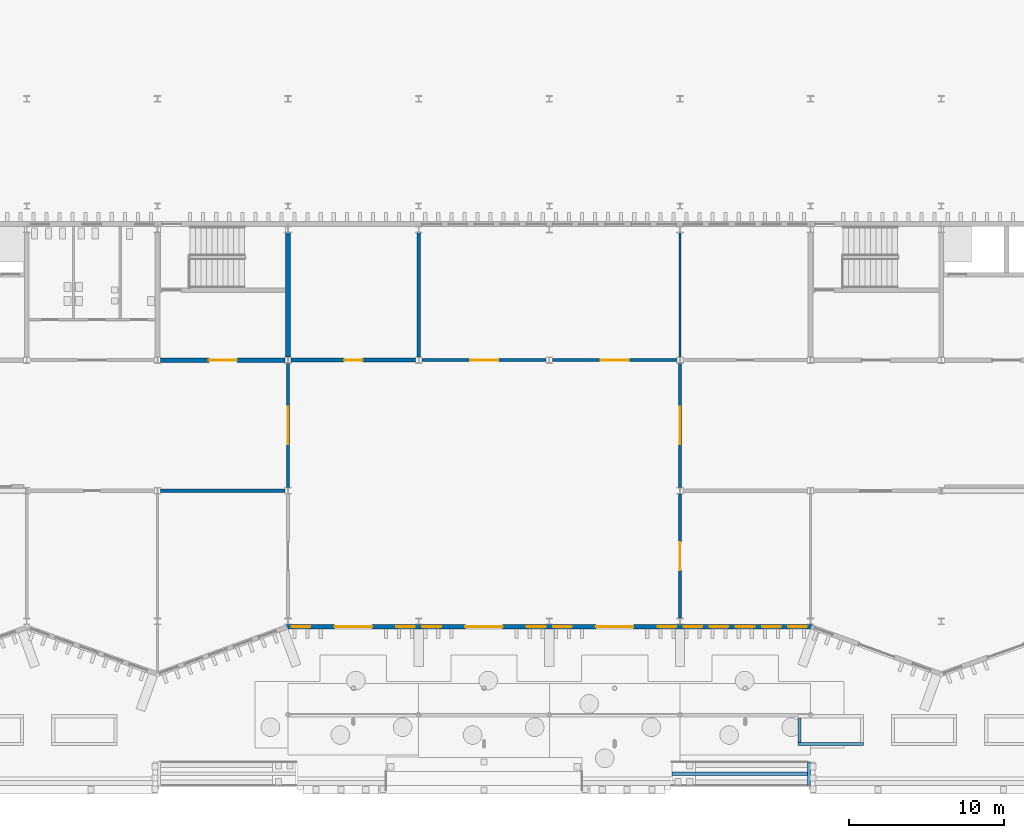
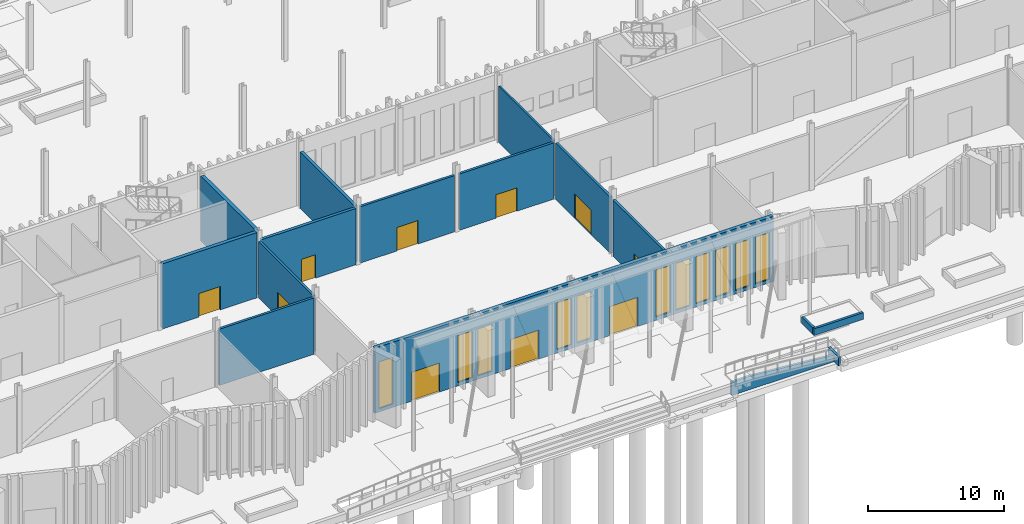
# One storey, part 57 of 108: 16 walls, 11 windows, 10 doors, 21 openings.
"""IFC4 building model written with IfcOpenShell, lengths in metres."""

import ifcopenshell
import ifcopenshell.guid

model = None  # the IFC model being written
_history = None  # IfcOwnerHistory: only IFC2X3 demands one
_inside = {}  # id of a spatial element -> (the spatial element, [elements in it])
_under = {}  # id of a project, library or spatial element -> (it, [spatial elements below it])
_declared = {}  # id of a project -> (the project, [libraries it declares])
_typed = {}  # id of a type object -> (the type object, [elements of that type])
_made_of = {}  # id of a material, layer set ... -> (it, [elements and type objects made of it])


def new_model(schema):
    """Start an empty IFC model of exactly this schema.

    Asked for "IFC4X3", IfcOpenShell would pick the latest addendum, in which some entities
    have other attributes; the version numbers below select the first issue.
    IFC2X3 requires an IfcOwnerHistory on every rooted entity: one is made here for all.
    """
    global model, _history
    if schema == "IFC4X3":
        model = ifcopenshell.file(schema_version=(4, 3, 0, 0))
    else:
        model = ifcopenshell.file(schema=schema)
    _inside.clear()
    _under.clear()
    _declared.clear()
    _typed.clear()
    _made_of.clear()
    _history = None
    if model.schema == "IFC2X3":
        org = make("IfcOrganization", Name="unknown")
        user = make(
            "IfcPersonAndOrganization",
            ThePerson=make("IfcPerson", FamilyName="unknown"),
            TheOrganization=org,
        )
        app = make(
            "IfcApplication",
            ApplicationDeveloper=org,
            Version="unknown",
            ApplicationFullName="unknown",
            ApplicationIdentifier="unknown",
        )
        _history = make(
            "IfcOwnerHistory",
            OwningUser=user,
            OwningApplication=app,
            ChangeAction="ADDED",
            CreationDate=0,
        )
    return model


def make(cls, **values):
    """One entity of the class cls with the attributes given. An attribute that is None is left unset."""
    return model.create_entity(
        cls, **{name: value for name, value in values.items() if value is not None}
    )


def rooted(cls, **values):
    """An entity with a GlobalId (a new one), such as an element, a storey or a relation."""
    return make(cls, GlobalId=ifcopenshell.guid.new(), OwnerHistory=_history, **values)


def si_unit(unit_type, name, prefix=None):
    """IfcSIUnit, for example si_unit("LENGTHUNIT", "METRE", prefix="MILLI")."""
    return make("IfcSIUnit", UnitType=unit_type, Prefix=prefix, Name=name)


def assignment(units):
    """IfcUnitAssignment: the units of a project."""
    return None if units is None else make("IfcUnitAssignment", Units=units)


def point(xyz):
    """IfcCartesianPoint."""
    return None if xyz is None else make("IfcCartesianPoint", Coordinates=xyz)


def direction(xyz):
    """IfcDirection."""
    return None if xyz is None else make("IfcDirection", DirectionRatios=xyz)


def frame(location, z_axis=None, x_axis=None):
    """IfcAxis2Placement3D, a coordinate frame: its origin and axes. An axis left out is left unset."""
    return make(
        "IfcAxis2Placement3D",
        Location=point(location),
        Axis=direction(z_axis),
        RefDirection=direction(x_axis),
    )


def frame_2d(location, x_axis=None):
    """IfcAxis2Placement2D, a coordinate frame in the plane: its origin and x axis."""
    return make(
        "IfcAxis2Placement2D", Location=point(location), RefDirection=direction(x_axis)
    )


def origin():
    """The frame at (0, 0, 0) with its axes left unset."""
    return frame((0.0, 0.0, 0.0))


def place(relative_to, where):
    """IfcLocalPlacement: puts the frame where relative to a parent placement (None: the world)."""
    return make(
        "IfcLocalPlacement", PlacementRelTo=relative_to, RelativePlacement=where
    )


def context(
    kind, dimensions, precision=None, world=None, true_north=None, identifier=None
):
    """IfcGeometricRepresentationContext, for example the 3D "Model" context."""
    return make(
        "IfcGeometricRepresentationContext",
        ContextIdentifier=identifier,
        ContextType=kind,
        CoordinateSpaceDimension=dimensions,
        Precision=precision,
        WorldCoordinateSystem=world,
        TrueNorth=true_north,
    )


def subcontext(parent, identifier, kind, view, scale=None):
    """IfcGeometricRepresentationSubContext, for example "Body" below "Model"."""
    return make(
        "IfcGeometricRepresentationSubContext",
        ContextIdentifier=identifier,
        ContextType=kind,
        ParentContext=parent,
        TargetScale=scale,
        TargetView=view,
    )


def project(units=None, contexts=None):
    """IfcProject with its units and contexts."""
    return rooted(
        "IfcProject",
        Name="project",
        RepresentationContexts=contexts,
        UnitsInContext=assignment(units),
    )


def spatial(cls, under=None, at=None, **own):
    """A site, building, storey or space (cls), placed at a placement, below another one or the project."""
    s = rooted(cls, ObjectPlacement=at, **own)
    if under is not None:
        _under.setdefault(under.id(), (under, []))[1].append(s)
    return s


def polyline(points):
    """IfcPolyline through the points."""
    return make("IfcPolyline", Points=[point(p) for p in points])


def profile(cls, at=None, kind="AREA", **sizes):
    """A parametric profile (cls). Its sizes go by their IFC names, for example OverallWidth=200.0."""
    return make(cls, ProfileType=kind, Position=at, **sizes)


def rectangle(**sizes):
    """IfcRectangleProfileDef."""
    return profile("IfcRectangleProfileDef", **sizes)


def outline(outer, holes=None, kind="AREA"):
    """IfcArbitraryClosedProfileDef: a profile drawn as a closed curve; with holes, ...WithVoids."""
    if holes is None:
        return make("IfcArbitraryClosedProfileDef", ProfileType=kind, OuterCurve=outer)
    return make(
        "IfcArbitraryProfileDefWithVoids",
        ProfileType=kind,
        OuterCurve=outer,
        InnerCurves=holes,
    )


def extrude(swept, where, along, depth):
    """IfcExtrudedAreaSolid: the profile swept, set in the frame where, extruded along a direction by depth."""
    return make(
        "IfcExtrudedAreaSolid",
        SweptArea=swept,
        Position=where,
        ExtrudedDirection=direction(along),
        Depth=depth,
    )


def shape(context_of_items, identifier, shape_type, items):
    """IfcShapeRepresentation: the items that make up one representation, for example the "Body"."""
    return make(
        "IfcShapeRepresentation",
        ContextOfItems=context_of_items,
        RepresentationIdentifier=identifier,
        RepresentationType=shape_type,
        Items=items,
    )


def material(Name=None, Category=None):
    """IfcMaterial."""
    return make("IfcMaterial", Name=Name, Category=Category)


def layer(
    of_material, thickness, ventilated=None, Name=None, Category=None, Priority=None
):
    """IfcMaterialLayer: one layer of a wall or slab, of a material (None: an air gap)."""
    return make(
        "IfcMaterialLayer",
        Material=of_material,
        LayerThickness=thickness,
        IsVentilated=ventilated,
        Name=Name,
        Category=Category,
        Priority=Priority,
    )


def layer_set(layers, Name=None):
    """IfcMaterialLayerSet."""
    return make("IfcMaterialLayerSet", MaterialLayers=layers, LayerSetName=Name)


def made_of(thing, what):
    """Note that an element or type object is made of a material, layer set ...; save() writes the relation."""
    if what is not None:
        _made_of.setdefault(what.id(), (what, []))[1].append(thing)
    return thing


def type_object(cls, material=None, **own):
    """A type object (cls), such as IfcWallType, which elements share."""
    return made_of(rooted(cls, **own), material)


def element(
    cls,
    number,
    at=None,
    inside=None,
    cuts=None,
    type_object=None,
    material=None,
    context=None,
    identifier="Body",
    shape_type=None,
    held_by="IfcProductDefinitionShape",
    body=None,
    shapes=None,
    **own,
):
    """One element of the class cls, such as IfcWall. Its Tag is "e" and its number.

    at: its placement. inside: the storey or other place that contains it. cuts: it is an
    opening in that element (IfcRelVoidsElement). A single representation is given by context,
    identifier, shape_type and body (its items); several are given by shapes. held_by: the class
    of the entity that holds the representations. save() writes the other relations.
    """
    e = rooted(cls, Tag="e%d" % number, ObjectPlacement=at, **own)
    if body is not None:
        shapes = [shape(context, identifier, shape_type, body)]
    if shapes is not None:
        e.Representation = make(held_by, Representations=shapes)
    if inside is not None:
        _inside.setdefault(inside.id(), (inside, []))[1].append(e)
    if cuts is not None:
        rooted(
            "IfcRelVoidsElement", RelatingBuildingElement=cuts, RelatedOpeningElement=e
        )
    if type_object is not None:
        _typed.setdefault(type_object.id(), (type_object, []))[1].append(e)
    return made_of(e, material)


def fill(opening, filler):
    """IfcRelFillsElement: the door or window that sits in an opening."""
    return rooted(
        "IfcRelFillsElement",
        RelatingOpeningElement=opening,
        RelatedBuildingElement=filler,
    )


def aggregate(whole, parts):
    """IfcRelAggregates: a whole, such as a stair, and the parts it consists of."""
    return rooted("IfcRelAggregates", RelatingObject=whole, RelatedObjects=parts)


def save(model, path):
    """Write the relations noted so far, then the file.

    IfcRelAggregates (storeys below a building ...), IfcRelContainedInSpatialStructure (elements
    in a storey), IfcRelDefinesByType, IfcRelAssociatesMaterial and IfcRelDeclares: one each for
    every whole, place, type object, material and project.
    """
    for whole, parts in _under.values():
        aggregate(whole, parts)
    for where, things in _inside.values():
        rooted(
            "IfcRelContainedInSpatialStructure",
            RelatedElements=things,
            RelatingStructure=where,
        )
    for kind, things in _typed.values():
        rooted("IfcRelDefinesByType", RelatedObjects=things, RelatingType=kind)
    for what, things in _made_of.values():
        rooted("IfcRelAssociatesMaterial", RelatedObjects=things, RelatingMaterial=what)
    for by, libraries in _declared.values():
        rooted("IfcRelDeclares", RelatingContext=by, RelatedDefinitions=libraries)
    model.write(path)


model = new_model("IFC4")

# Units and contexts
model_context = context("Model", 3, precision=1e-05, world=origin(), true_north=direction((0.0, 1.0)))
body_context = subcontext(model_context, "Body", "Model", "MODEL_VIEW")
ifc_project = project(units=[si_unit("LENGTHUNIT", "METRE"), si_unit("AREAUNIT", "SQUARE_METRE"), si_unit("VOLUMEUNIT", "CUBIC_METRE"), si_unit("PLANEANGLEUNIT", "RADIAN"), si_unit("MASSUNIT", "GRAM", prefix="KILO")], contexts=[model_context])

# Site, building, storey
site_placement = place(None, origin())
site = spatial("IfcSite", under=ifc_project, at=site_placement, CompositionType="ELEMENT")
building_placement = place(site_placement, origin())
building = spatial("IfcBuilding", under=site, at=building_placement, Name="Cresset Court Congress Hotel", CompositionType="ELEMENT")
storey_placement = place(building_placement, origin())
storey = spatial("IfcBuildingStorey", under=building, at=storey_placement, Name="L00", CompositionType="ELEMENT", Elevation=0.0)

# Wall
ifc_material_1 = material(Name="Concrete C50", Category="concrete")
ifc_layer_1 = layer(ifc_material_1, 0.300048828125)
ifc_layer_set_1 = layer_set([ifc_layer_1], Name="Core wall 300 Concrete C50")
wall_type_1 = type_object("IfcWallType", Name="Core wall 300 Concrete C50", PredefinedType="SHEAR", material=ifc_layer_set_1)
wall_1_placement = place(storey_placement, frame((67.199951171875, 17.0, 0.0), z_axis=(0.0, 0.0, 1.0), x_axis=(0.0, 1.0, 0.0)))
element("IfcWall", 1, at=wall_1_placement, inside=storey, type_object=wall_type_1, Name="Core wall ST-B3", PredefinedType="SHEAR", context=body_context, shape_type="SweptSolid", body=[
    extrude(rectangle(XDim=8.0, YDim=0.300048828125, at=frame_2d((4.0, 0.0))), origin(), (0.0, 0.0, 1.0), 5.85009765625),
])

# Wall, opening, door
wall_2_placement = place(storey_placement, frame((59.0, 16.800048828125, 0.0), z_axis=(0.0, 0.0, 1.0), x_axis=(1.0, 0.0, 0.0)))
wall_2 = element("IfcWall", 2, at=wall_2_placement, inside=storey, type_object=wall_type_1, Name="Core wall ST-B3", PredefinedType="SHEAR", context=body_context, shape_type="SweptSolid", body=[
    extrude(rectangle(XDim=8.0, YDim=0.300048828125, at=frame_2d((4.0, 0.0))), origin(), (0.0, 0.0, 1.0), 5.85009765625),
])
opening_1_placement = place(wall_2_placement, frame((3.10009765625, 0.0, 0.0)))
opening_1 = element("IfcOpeningElement", 3, at=opening_1_placement, cuts=wall_2, Name="Opening DB-00-60", PredefinedType="OPENING", context=body_context, shape_type="SweptSolid", body=[
    extrude(rectangle(XDim=1.800048828125, YDim=2.10009765625, at=frame_2d((0.89990234375, 1.050048828125))), frame((0.0, 0.159912109375, 0.0), z_axis=(0.0, -1.0, 0.0), x_axis=(1.0, 0.0, 0.0)), (0.0, 0.0, 1.0), 0.320068359375),
])
ifc_material_2 = material(Name="Timber and steel frame", Category="steel")
door_type_1 = type_object("IfcDoorType", Name="Lobby fire door FD60 double 1800x2100", OperationType="DOUBLE_DOOR_SINGLE_SWING", PredefinedType="DOOR", material=ifc_material_2)
door_1_placement = place(opening_1_placement, origin())
door_1 = element("IfcDoor", 4, at=door_1_placement, inside=storey, type_object=door_type_1, Name="Stair lobby door ST-B3", OperationType="DOUBLE_DOOR_SINGLE_SWING", OverallHeight=2.10009765625, OverallWidth=1.800048828125, PredefinedType="DOOR", context=body_context, shape_type="SweptSolid", body=[
    extrude(rectangle(XDim=1.800048828125, YDim=2.10009765625, at=frame_2d((0.89990234375, 1.050048828125))), frame((0.0, 0.02490234375, 0.0), z_axis=(0.0, -1.0, 0.0), x_axis=(1.0, 0.0, 0.0)), (0.0, 0.0, 1.0), 0.050048828125),
])
fill(opening_1, door_1)

# Wall, openings, doors, windows
ifc_material_3 = material(Name="Concrete C40", Category="concrete")
ifc_layer_2 = layer(ifc_material_3, 0.300048828125)
ifc_layer_set_2 = layer_set([ifc_layer_2], Name="External wall 300 Concrete C40")
wall_type_2 = type_object("IfcWallType", Name="External wall 300 Concrete C40", PredefinedType="SOLIDWALL", material=ifc_layer_set_2)
wall_3_placement = place(storey_placement, frame((67.10009765625, -0.35009765625, 0.0), z_axis=(0.0, 0.0, 1.0), x_axis=(1.0, 0.0, 0.0)))
wall_3 = element("IfcWall", 5, at=wall_3_placement, inside=storey, type_object=wall_type_2, Name="External wall", PredefinedType="SOLIDWALL", context=body_context, shape_type="SweptSolid", body=[
    extrude(rectangle(XDim=33.7998046875, YDim=0.300048828125, at=frame_2d((16.89990234375, 0.0))), origin(), (0.0, 0.0, 1.0), 5.85009765625),
])
opening_2_placement = place(wall_3_placement, frame((3.10009765625, 0.0, 0.0)))
opening_2 = element("IfcOpeningElement", 6, at=opening_2_placement, cuts=wall_3, Name="Opening DB-00-01", PredefinedType="OPENING", context=body_context, shape_type="SweptSolid", body=[
    extrude(rectangle(XDim=2.39990234375, YDim=2.60009765625, at=frame_2d((1.199951171875, 1.300048828125))), frame((0.0, 0.159912109375, 0.0), z_axis=(0.0, -1.0, 0.0), x_axis=(1.0, 0.0, 0.0)), (0.0, 0.0, 1.0), 0.320068359375),
])
opening_3_placement = place(wall_3_placement, frame((11.5, 0.0, 0.0)))
opening_3 = element("IfcOpeningElement", 7, at=opening_3_placement, cuts=wall_3, Name="Opening DB-00-02", PredefinedType="OPENING", context=body_context, shape_type="SweptSolid", body=[
    extrude(rectangle(XDim=2.39990234375, YDim=2.60009765625, at=frame_2d((1.199951171875, 1.300048828125))), frame((0.0, 0.159912109375, 0.0), z_axis=(0.0, -1.0, 0.0), x_axis=(1.0, 0.0, 0.0)), (0.0, 0.0, 1.0), 0.320068359375),
])
opening_4_placement = place(wall_3_placement, frame((19.89990234375, 0.0, 0.0)))
opening_4 = element("IfcOpeningElement", 8, at=opening_4_placement, cuts=wall_3, Name="Opening DB-00-03", PredefinedType="OPENING", context=body_context, shape_type="SweptSolid", body=[
    extrude(rectangle(XDim=2.39990234375, YDim=2.60009765625, at=frame_2d((1.199951171875, 1.300048828125))), frame((0.0, 0.159912109375, 0.0), z_axis=(0.0, -1.0, 0.0), x_axis=(1.0, 0.0, 0.0)), (0.0, 0.0, 1.0), 0.320068359375),
])
opening_5_placement = place(wall_3_placement, frame((0.340087890625, 0.0, 0.300048828125)))
opening_5 = element("IfcOpeningElement", 9, at=opening_5_placement, cuts=wall_3, Name="Opening NB-00-06", PredefinedType="OPENING", context=body_context, shape_type="SweptSolid", body=[
    extrude(rectangle(XDim=1.199951171875, YDim=4.199951171875, at=frame_2d((0.60009765625, 2.10009765625))), frame((0.0, 0.159912109375, 0.0), z_axis=(0.0, -1.0, 0.0), x_axis=(1.0, 0.0, 0.0)), (0.0, 0.0, 1.0), 0.320068359375),
])
opening_6_placement = place(wall_3_placement, frame((7.06005859375, 0.0, 0.300048828125)))
opening_6 = element("IfcOpeningElement", 10, at=opening_6_placement, cuts=wall_3, Name="Opening NB-00-07", PredefinedType="OPENING", context=body_context, shape_type="SweptSolid", body=[
    extrude(rectangle(XDim=1.199951171875, YDim=4.199951171875, at=frame_2d((0.60009765625, 2.10009765625))), frame((0.0, 0.159912109375, 0.0), z_axis=(0.0, -1.0, 0.0), x_axis=(1.0, 0.0, 0.0)), (0.0, 0.0, 1.0), 0.320068359375),
])
opening_7_placement = place(wall_3_placement, frame((8.739990234375, 0.0, 0.300048828125)))
opening_7 = element("IfcOpeningElement", 11, at=opening_7_placement, cuts=wall_3, Name="Opening NB-00-08", PredefinedType="OPENING", context=body_context, shape_type="SweptSolid", body=[
    extrude(rectangle(XDim=1.199951171875, YDim=4.199951171875, at=frame_2d((0.60009765625, 2.10009765625))), frame((0.0, 0.159912109375, 0.0), z_axis=(0.0, -1.0, 0.0), x_axis=(1.0, 0.0, 0.0)), (0.0, 0.0, 1.0), 0.320068359375),
])
opening_8_placement = place(wall_3_placement, frame((15.4599609375, 0.0, 0.300048828125)))
opening_8 = element("IfcOpeningElement", 12, at=opening_8_placement, cuts=wall_3, Name="Opening NB-00-09", PredefinedType="OPENING", context=body_context, shape_type="SweptSolid", body=[
    extrude(rectangle(XDim=1.199951171875, YDim=4.199951171875, at=frame_2d((0.60009765625, 2.10009765625))), frame((0.0, 0.159912109375, 0.0), z_axis=(0.0, -1.0, 0.0), x_axis=(1.0, 0.0, 0.0)), (0.0, 0.0, 1.0), 0.320068359375),
])
opening_9_placement = place(wall_3_placement, frame((17.139892578125, 0.0, 0.300048828125)))
opening_9 = element("IfcOpeningElement", 13, at=opening_9_placement, cuts=wall_3, Name="Opening NB-00-10", PredefinedType="OPENING", context=body_context, shape_type="SweptSolid", body=[
    extrude(rectangle(XDim=1.199951171875, YDim=4.199951171875, at=frame_2d((0.60009765625, 2.10009765625))), frame((0.0, 0.159912109375, 0.0), z_axis=(0.0, -1.0, 0.0), x_axis=(1.0, 0.0, 0.0)), (0.0, 0.0, 1.0), 0.320068359375),
])
opening_10_placement = place(wall_3_placement, frame((23.860107421875, 0.0, 0.300048828125)))
opening_10 = element("IfcOpeningElement", 14, at=opening_10_placement, cuts=wall_3, Name="Opening NB-00-11", PredefinedType="OPENING", context=body_context, shape_type="SweptSolid", body=[
    extrude(rectangle(XDim=1.199951171875, YDim=4.199951171875, at=frame_2d((0.60009765625, 2.10009765625))), frame((0.0, 0.159912109375, 0.0), z_axis=(0.0, -1.0, 0.0), x_axis=(1.0, 0.0, 0.0)), (0.0, 0.0, 1.0), 0.320068359375),
])
opening_11_placement = place(wall_3_placement, frame((25.5400390625, 0.0, 0.300048828125)))
opening_11 = element("IfcOpeningElement", 15, at=opening_11_placement, cuts=wall_3, Name="Opening NB-00-12", PredefinedType="OPENING", context=body_context, shape_type="SweptSolid", body=[
    extrude(rectangle(XDim=1.199951171875, YDim=4.199951171875, at=frame_2d((0.60009765625, 2.10009765625))), frame((0.0, 0.159912109375, 0.0), z_axis=(0.0, -1.0, 0.0), x_axis=(1.0, 0.0, 0.0)), (0.0, 0.0, 1.0), 0.320068359375),
])
opening_12_placement = place(wall_3_placement, frame((27.219970703125, 0.0, 0.300048828125)))
opening_12 = element("IfcOpeningElement", 16, at=opening_12_placement, cuts=wall_3, Name="Opening NB-00-13", PredefinedType="OPENING", context=body_context, shape_type="SweptSolid", body=[
    extrude(rectangle(XDim=1.199951171875, YDim=4.199951171875, at=frame_2d((0.60009765625, 2.10009765625))), frame((0.0, 0.159912109375, 0.0), z_axis=(0.0, -1.0, 0.0), x_axis=(1.0, 0.0, 0.0)), (0.0, 0.0, 1.0), 0.320068359375),
])
opening_13_placement = place(wall_3_placement, frame((28.89990234375, 0.0, 0.300048828125)))
opening_13 = element("IfcOpeningElement", 17, at=opening_13_placement, cuts=wall_3, Name="Opening NB-00-14", PredefinedType="OPENING", context=body_context, shape_type="SweptSolid", body=[
    extrude(rectangle(XDim=1.199951171875, YDim=4.199951171875, at=frame_2d((0.60009765625, 2.10009765625))), frame((0.0, 0.159912109375, 0.0), z_axis=(0.0, -1.0, 0.0), x_axis=(1.0, 0.0, 0.0)), (0.0, 0.0, 1.0), 0.320068359375),
])
opening_14_placement = place(wall_3_placement, frame((30.580078125, 0.0, 0.300048828125)))
opening_14 = element("IfcOpeningElement", 18, at=opening_14_placement, cuts=wall_3, Name="Opening NB-00-15", PredefinedType="OPENING", context=body_context, shape_type="SweptSolid", body=[
    extrude(rectangle(XDim=1.199951171875, YDim=4.199951171875, at=frame_2d((0.60009765625, 2.10009765625))), frame((0.0, 0.159912109375, 0.0), z_axis=(0.0, -1.0, 0.0), x_axis=(1.0, 0.0, 0.0)), (0.0, 0.0, 1.0), 0.320068359375),
])
opening_15_placement = place(wall_3_placement, frame((32.260009765625, 0.0, 0.300048828125)))
opening_15 = element("IfcOpeningElement", 19, at=opening_15_placement, cuts=wall_3, Name="Opening NB-00-16", PredefinedType="OPENING", context=body_context, shape_type="SweptSolid", body=[
    extrude(rectangle(XDim=1.199951171875, YDim=4.199951171875, at=frame_2d((0.60009765625, 2.10009765625))), frame((0.0, 0.159912109375, 0.0), z_axis=(0.0, -1.0, 0.0), x_axis=(1.0, 0.0, 0.0)), (0.0, 0.0, 1.0), 0.320068359375),
])
ifc_material_4 = material(Name="Aluminium frame with toughened glass", Category="aluminium")
door_type_2 = type_object("IfcDoorType", Name="Entrance door double glazed 2400x2600", OperationType="DOUBLE_DOOR_SINGLE_SWING", PredefinedType="DOOR", material=ifc_material_4)
door_2_placement = place(opening_2_placement, origin())
door_2 = element("IfcDoor", 20, at=door_2_placement, inside=storey, type_object=door_type_2, Name="Main entrance", OperationType="DOUBLE_DOOR_SINGLE_SWING", OverallHeight=2.60009765625, OverallWidth=2.39990234375, PredefinedType="DOOR", context=body_context, shape_type="SweptSolid", body=[
    extrude(rectangle(XDim=2.39990234375, YDim=2.60009765625, at=frame_2d((1.199951171875, 1.300048828125))), frame((0.0, 0.02490234375, 0.0), z_axis=(0.0, -1.0, 0.0), x_axis=(1.0, 0.0, 0.0)), (0.0, 0.0, 1.0), 0.050048828125),
])
fill(opening_2, door_2)
door_3_placement = place(opening_3_placement, origin())
door_3 = element("IfcDoor", 21, at=door_3_placement, inside=storey, type_object=door_type_2, Name="Main entrance", OperationType="DOUBLE_DOOR_SINGLE_SWING", OverallHeight=2.60009765625, OverallWidth=2.39990234375, PredefinedType="DOOR", context=body_context, shape_type="SweptSolid", body=[
    extrude(rectangle(XDim=2.39990234375, YDim=2.60009765625, at=frame_2d((1.199951171875, 1.300048828125))), frame((0.0, 0.02490234375, 0.0), z_axis=(0.0, -1.0, 0.0), x_axis=(1.0, 0.0, 0.0)), (0.0, 0.0, 1.0), 0.050048828125),
])
fill(opening_3, door_3)
door_4_placement = place(opening_4_placement, origin())
door_4 = element("IfcDoor", 22, at=door_4_placement, inside=storey, type_object=door_type_2, Name="Main entrance", OperationType="DOUBLE_DOOR_SINGLE_SWING", OverallHeight=2.60009765625, OverallWidth=2.39990234375, PredefinedType="DOOR", context=body_context, shape_type="SweptSolid", body=[
    extrude(rectangle(XDim=2.39990234375, YDim=2.60009765625, at=frame_2d((1.199951171875, 1.300048828125))), frame((0.0, 0.02490234375, 0.0), z_axis=(0.0, -1.0, 0.0), x_axis=(1.0, 0.0, 0.0)), (0.0, 0.0, 1.0), 0.050048828125),
])
fill(opening_4, door_4)
ifc_material_5 = material(Name="Aluminium frame with double glazing", Category="aluminium")
window_type = type_object("IfcWindowType", Name="Window 1200x4200", PartitioningType="TRIPLE_PANEL_VERTICAL", PredefinedType="WINDOW", material=ifc_material_5)
window_1_placement = place(opening_5_placement, origin())
window_1 = element("IfcWindow", 23, at=window_1_placement, inside=storey, type_object=window_type, Name="Window NB-00-06", OverallHeight=4.199951171875, OverallWidth=1.199951171875, PartitioningType="TRIPLE_PANEL_VERTICAL", PredefinedType="WINDOW", context=body_context, shape_type="SweptSolid", body=[
    extrude(rectangle(XDim=1.199951171875, YDim=4.199951171875, at=frame_2d((0.60009765625, 2.10009765625))), frame((0.0, 0.030029296875, 0.0), z_axis=(0.0, -1.0, 0.0), x_axis=(1.0, 0.0, 0.0)), (0.0, 0.0, 1.0), 0.06005859375),
])
fill(opening_5, window_1)
window_2_placement = place(opening_6_placement, origin())
window_2 = element("IfcWindow", 24, at=window_2_placement, inside=storey, type_object=window_type, Name="Window NB-00-07", OverallHeight=4.199951171875, OverallWidth=1.199951171875, PartitioningType="TRIPLE_PANEL_VERTICAL", PredefinedType="WINDOW", context=body_context, shape_type="SweptSolid", body=[
    extrude(rectangle(XDim=1.199951171875, YDim=4.199951171875, at=frame_2d((0.60009765625, 2.10009765625))), frame((0.0, 0.030029296875, 0.0), z_axis=(0.0, -1.0, 0.0), x_axis=(1.0, 0.0, 0.0)), (0.0, 0.0, 1.0), 0.06005859375),
])
fill(opening_6, window_2)
window_3_placement = place(opening_7_placement, origin())
window_3 = element("IfcWindow", 25, at=window_3_placement, inside=storey, type_object=window_type, Name="Window NB-00-08", OverallHeight=4.199951171875, OverallWidth=1.199951171875, PartitioningType="TRIPLE_PANEL_VERTICAL", PredefinedType="WINDOW", context=body_context, shape_type="SweptSolid", body=[
    extrude(rectangle(XDim=1.199951171875, YDim=4.199951171875, at=frame_2d((0.60009765625, 2.10009765625))), frame((0.0, 0.030029296875, 0.0), z_axis=(0.0, -1.0, 0.0), x_axis=(1.0, 0.0, 0.0)), (0.0, 0.0, 1.0), 0.06005859375),
])
fill(opening_7, window_3)
window_4_placement = place(opening_8_placement, origin())
window_4 = element("IfcWindow", 26, at=window_4_placement, inside=storey, type_object=window_type, Name="Window NB-00-09", OverallHeight=4.199951171875, OverallWidth=1.199951171875, PartitioningType="TRIPLE_PANEL_VERTICAL", PredefinedType="WINDOW", context=body_context, shape_type="SweptSolid", body=[
    extrude(rectangle(XDim=1.199951171875, YDim=4.199951171875, at=frame_2d((0.60009765625, 2.10009765625))), frame((0.0, 0.030029296875, 0.0), z_axis=(0.0, -1.0, 0.0), x_axis=(1.0, 0.0, 0.0)), (0.0, 0.0, 1.0), 0.06005859375),
])
fill(opening_8, window_4)
window_5_placement = place(opening_9_placement, origin())
window_5 = element("IfcWindow", 27, at=window_5_placement, inside=storey, type_object=window_type, Name="Window NB-00-10", OverallHeight=4.199951171875, OverallWidth=1.199951171875, PartitioningType="TRIPLE_PANEL_VERTICAL", PredefinedType="WINDOW", context=body_context, shape_type="SweptSolid", body=[
    extrude(rectangle(XDim=1.199951171875, YDim=4.199951171875, at=frame_2d((0.60009765625, 2.10009765625))), frame((0.0, 0.030029296875, 0.0), z_axis=(0.0, -1.0, 0.0), x_axis=(1.0, 0.0, 0.0)), (0.0, 0.0, 1.0), 0.06005859375),
])
fill(opening_9, window_5)
window_6_placement = place(opening_10_placement, origin())
window_6 = element("IfcWindow", 28, at=window_6_placement, inside=storey, type_object=window_type, Name="Window NB-00-11", OverallHeight=4.199951171875, OverallWidth=1.199951171875, PartitioningType="TRIPLE_PANEL_VERTICAL", PredefinedType="WINDOW", context=body_context, shape_type="SweptSolid", body=[
    extrude(rectangle(XDim=1.199951171875, YDim=4.199951171875, at=frame_2d((0.60009765625, 2.10009765625))), frame((0.0, 0.030029296875, 0.0), z_axis=(0.0, -1.0, 0.0), x_axis=(1.0, 0.0, 0.0)), (0.0, 0.0, 1.0), 0.06005859375),
])
fill(opening_10, window_6)
window_7_placement = place(opening_11_placement, origin())
window_7 = element("IfcWindow", 29, at=window_7_placement, inside=storey, type_object=window_type, Name="Window NB-00-12", OverallHeight=4.199951171875, OverallWidth=1.199951171875, PartitioningType="TRIPLE_PANEL_VERTICAL", PredefinedType="WINDOW", context=body_context, shape_type="SweptSolid", body=[
    extrude(rectangle(XDim=1.199951171875, YDim=4.199951171875, at=frame_2d((0.60009765625, 2.10009765625))), frame((0.0, 0.030029296875, 0.0), z_axis=(0.0, -1.0, 0.0), x_axis=(1.0, 0.0, 0.0)), (0.0, 0.0, 1.0), 0.06005859375),
])
fill(opening_11, window_7)
window_8_placement = place(opening_12_placement, origin())
window_8 = element("IfcWindow", 30, at=window_8_placement, inside=storey, type_object=window_type, Name="Window NB-00-13", OverallHeight=4.199951171875, OverallWidth=1.199951171875, PartitioningType="TRIPLE_PANEL_VERTICAL", PredefinedType="WINDOW", context=body_context, shape_type="SweptSolid", body=[
    extrude(rectangle(XDim=1.199951171875, YDim=4.199951171875, at=frame_2d((0.60009765625, 2.10009765625))), frame((0.0, 0.030029296875, 0.0), z_axis=(0.0, -1.0, 0.0), x_axis=(1.0, 0.0, 0.0)), (0.0, 0.0, 1.0), 0.06005859375),
])
fill(opening_12, window_8)
window_9_placement = place(opening_13_placement, origin())
window_9 = element("IfcWindow", 31, at=window_9_placement, inside=storey, type_object=window_type, Name="Window NB-00-14", OverallHeight=4.199951171875, OverallWidth=1.199951171875, PartitioningType="TRIPLE_PANEL_VERTICAL", PredefinedType="WINDOW", context=body_context, shape_type="SweptSolid", body=[
    extrude(rectangle(XDim=1.199951171875, YDim=4.199951171875, at=frame_2d((0.60009765625, 2.10009765625))), frame((0.0, 0.030029296875, 0.0), z_axis=(0.0, -1.0, 0.0), x_axis=(1.0, 0.0, 0.0)), (0.0, 0.0, 1.0), 0.06005859375),
])
fill(opening_13, window_9)
window_10_placement = place(opening_14_placement, origin())
window_10 = element("IfcWindow", 32, at=window_10_placement, inside=storey, type_object=window_type, Name="Window NB-00-15", OverallHeight=4.199951171875, OverallWidth=1.199951171875, PartitioningType="TRIPLE_PANEL_VERTICAL", PredefinedType="WINDOW", context=body_context, shape_type="SweptSolid", body=[
    extrude(rectangle(XDim=1.199951171875, YDim=4.199951171875, at=frame_2d((0.60009765625, 2.10009765625))), frame((0.0, 0.030029296875, 0.0), z_axis=(0.0, -1.0, 0.0), x_axis=(1.0, 0.0, 0.0)), (0.0, 0.0, 1.0), 0.06005859375),
])
fill(opening_14, window_10)
window_11_placement = place(opening_15_placement, origin())
window_11 = element("IfcWindow", 33, at=window_11_placement, inside=storey, type_object=window_type, Name="Window NB-00-16", OverallHeight=4.199951171875, OverallWidth=1.199951171875, PartitioningType="TRIPLE_PANEL_VERTICAL", PredefinedType="WINDOW", context=body_context, shape_type="SweptSolid", body=[
    extrude(rectangle(XDim=1.199951171875, YDim=4.199951171875, at=frame_2d((0.60009765625, 2.10009765625))), frame((0.0, 0.030029296875, 0.0), z_axis=(0.0, -1.0, 0.0), x_axis=(1.0, 0.0, 0.0)), (0.0, 0.0, 1.0), 0.06005859375),
])
fill(opening_15, window_11)

# Wall
ifc_material_6 = material(Name="Gypsum board on steel studs", Category="steel")
ifc_layer_3 = layer(ifc_material_6, 0.199951171875)
ifc_layer_set_3 = layer_set([ifc_layer_3], Name="Foyer wall 200")
wall_type_3 = type_object("IfcWallType", Name="Foyer wall 200", PredefinedType="PARTITIONING", material=ifc_layer_set_3)
wall_4_placement = place(storey_placement, frame((59.0, 8.39990234375, 0.0), z_axis=(0.0, 0.0, 1.0), x_axis=(1.0, 0.0, 0.0)))
element("IfcWall", 34, at=wall_4_placement, inside=storey, type_object=wall_type_3, Name="Foyer wall", PredefinedType="PARTITIONING", context=body_context, shape_type="SweptSolid", body=[
    extrude(rectangle(XDim=8.0, YDim=0.199951171875, at=frame_2d((4.0, 0.0))), origin(), (0.0, 0.0, 1.0), 5.050048828125),
])

# Wall, opening, door
wall_5_placement = place(storey_placement, frame((75.800048828125, 16.800048828125, 0.0), z_axis=(0.0, 0.0, 1.0), x_axis=(1.0, 0.0, 0.0)))
wall_5 = element("IfcWall", 35, at=wall_5_placement, inside=storey, type_object=wall_type_3, Name="Foyer wall", PredefinedType="PARTITIONING", context=body_context, shape_type="SweptSolid", body=[
    extrude(rectangle(XDim=8.0, YDim=0.199951171875, at=frame_2d((4.0, 0.0))), origin(), (0.0, 0.0, 1.0), 5.050048828125),
])
opening_16_placement = place(wall_5_placement, frame((3.10009765625, 0.0, 0.0)))
opening_16 = element("IfcOpeningElement", 36, at=opening_16_placement, cuts=wall_5, Name="Opening DB-00-31", PredefinedType="OPENING", context=body_context, shape_type="SweptSolid", body=[
    extrude(rectangle(XDim=1.800048828125, YDim=2.10009765625, at=frame_2d((0.89990234375, 1.050048828125))), frame((0.0, 0.10986328125, 0.0), z_axis=(0.0, -1.0, 0.0), x_axis=(1.0, 0.0, 0.0)), (0.0, 0.0, 1.0), 0.219970703125),
])
ifc_material_7 = material(Name="Timber and steel frame", Category="steel")
door_type_3 = type_object("IfcDoorType", Name="Fire door FD30 double 1800x2100", OperationType="DOUBLE_DOOR_SINGLE_SWING", PredefinedType="DOOR", material=ifc_material_7)
door_5_placement = place(opening_16_placement, origin())
door_5 = element("IfcDoor", 37, at=door_5_placement, inside=storey, type_object=door_type_3, Name="Accreditation Office door", OperationType="DOUBLE_DOOR_SINGLE_SWING", OverallHeight=2.10009765625, OverallWidth=1.800048828125, PredefinedType="DOOR", context=body_context, shape_type="SweptSolid", body=[
    extrude(rectangle(XDim=1.800048828125, YDim=2.10009765625, at=frame_2d((0.89990234375, 1.050048828125))), frame((0.0, 0.02490234375, 0.0), z_axis=(0.0, -1.0, 0.0), x_axis=(1.0, 0.0, 0.0)), (0.0, 0.0, 1.0), 0.050048828125),
])
fill(opening_16, door_5)

wall_6_placement = place(storey_placement, frame((84.199951171875, 16.800048828125, 0.0), z_axis=(0.0, 0.0, 1.0), x_axis=(1.0, 0.0, 0.0)))
wall_6 = element("IfcWall", 38, at=wall_6_placement, inside=storey, type_object=wall_type_3, Name="Foyer wall", PredefinedType="PARTITIONING", context=body_context, shape_type="SweptSolid", body=[
    extrude(rectangle(XDim=8.0, YDim=0.199951171875, at=frame_2d((4.0, 0.0))), origin(), (0.0, 0.0, 1.0), 5.050048828125),
])
opening_17_placement = place(wall_6_placement, frame((3.10009765625, 0.0, 0.0)))
opening_17 = element("IfcOpeningElement", 39, at=opening_17_placement, cuts=wall_6, Name="Opening DB-00-32", PredefinedType="OPENING", context=body_context, shape_type="SweptSolid", body=[
    extrude(rectangle(XDim=1.800048828125, YDim=2.10009765625, at=frame_2d((0.89990234375, 1.050048828125))), frame((0.0, 0.10986328125, 0.0), z_axis=(0.0, -1.0, 0.0), x_axis=(1.0, 0.0, 0.0)), (0.0, 0.0, 1.0), 0.219970703125),
])
door_6_placement = place(opening_17_placement, origin())
door_6 = element("IfcDoor", 40, at=door_6_placement, inside=storey, type_object=door_type_3, Name="Accreditation Office door", OperationType="DOUBLE_DOOR_SINGLE_SWING", OverallHeight=2.10009765625, OverallWidth=1.800048828125, PredefinedType="DOOR", context=body_context, shape_type="SweptSolid", body=[
    extrude(rectangle(XDim=1.800048828125, YDim=2.10009765625, at=frame_2d((0.89990234375, 1.050048828125))), frame((0.0, 0.02490234375, 0.0), z_axis=(0.0, -1.0, 0.0), x_axis=(1.0, 0.0, 0.0)), (0.0, 0.0, 1.0), 0.050048828125),
])
fill(opening_17, door_6)

wall_7_placement = place(storey_placement, frame((67.199951171875, 8.60009765625, 0.0), z_axis=(0.0, 0.0, 1.0), x_axis=(0.0, 1.0, 0.0)))
wall_7 = element("IfcWall", 41, at=wall_7_placement, inside=storey, type_object=wall_type_3, Name="Foyer wall", PredefinedType="PARTITIONING", context=body_context, shape_type="SweptSolid", body=[
    extrude(rectangle(XDim=8.0, YDim=0.199951171875, at=frame_2d((4.0, 0.0))), origin(), (0.0, 0.0, 1.0), 5.050048828125),
])
opening_18_placement = place(wall_7_placement, frame((2.800048828125, 0.0, 0.0)))
opening_18 = element("IfcOpeningElement", 42, at=opening_18_placement, cuts=wall_7, Name="Opening DB-00-44", PredefinedType="OPENING", context=body_context, shape_type="SweptSolid", body=[
    extrude(rectangle(XDim=2.39990234375, YDim=2.199951171875, at=frame_2d((1.199951171875, 1.10009765625))), frame((0.0, 0.10986328125, 0.0), z_axis=(0.0, -1.0, 0.0), x_axis=(1.0, 0.0, 0.0)), (0.0, 0.0, 1.0), 0.219970703125),
])
ifc_material_8 = material(Name="Timber and steel frame", Category="steel")
door_type_4 = type_object("IfcDoorType", Name="Fire door FD30 double 2400x2200", OperationType="DOUBLE_DOOR_SINGLE_SWING", PredefinedType="DOOR", material=ifc_material_8)
door_7_placement = place(opening_18_placement, origin())
door_7 = element("IfcDoor", 43, at=door_7_placement, inside=storey, type_object=door_type_4, Name="Arrival hall door", OperationType="DOUBLE_DOOR_SINGLE_SWING", OverallHeight=2.199951171875, OverallWidth=2.39990234375, PredefinedType="DOOR", context=body_context, shape_type="SweptSolid", body=[
    extrude(rectangle(XDim=2.39990234375, YDim=2.199951171875, at=frame_2d((1.199951171875, 1.10009765625))), frame((0.0, 0.02490234375, 0.0), z_axis=(0.0, -1.0, 0.0), x_axis=(1.0, 0.0, 0.0)), (0.0, 0.0, 1.0), 0.050048828125),
])
fill(opening_18, door_7)

wall_8_placement = place(storey_placement, frame((92.39990234375, 0.199951171875, 0.0), z_axis=(0.0, 0.0, 1.0), x_axis=(0.0, 1.0, 0.0)))
wall_8 = element("IfcWall", 44, at=wall_8_placement, inside=storey, type_object=wall_type_3, Name="Foyer wall", PredefinedType="PARTITIONING", context=body_context, shape_type="SweptSolid", body=[
    extrude(rectangle(XDim=8.0, YDim=0.199951171875, at=frame_2d((4.0, 0.0))), origin(), (0.0, 0.0, 1.0), 5.050048828125),
])
opening_19_placement = place(wall_8_placement, frame((3.10009765625, 0.0, 0.0)))
opening_19 = element("IfcOpeningElement", 45, at=opening_19_placement, cuts=wall_8, Name="Opening DB-00-20", PredefinedType="OPENING", context=body_context, shape_type="SweptSolid", body=[
    extrude(rectangle(XDim=1.800048828125, YDim=2.10009765625, at=frame_2d((0.89990234375, 1.050048828125))), frame((0.0, 0.10986328125, 0.0), z_axis=(0.0, -1.0, 0.0), x_axis=(1.0, 0.0, 0.0)), (0.0, 0.0, 1.0), 0.219970703125),
])
door_8_placement = place(opening_19_placement, origin())
door_8 = element("IfcDoor", 46, at=door_8_placement, inside=storey, type_object=door_type_3, Name="Cloakroom door", OperationType="DOUBLE_DOOR_SINGLE_SWING", OverallHeight=2.10009765625, OverallWidth=1.800048828125, PredefinedType="DOOR", context=body_context, shape_type="SweptSolid", body=[
    extrude(rectangle(XDim=1.800048828125, YDim=2.10009765625, at=frame_2d((0.89990234375, 1.050048828125))), frame((0.0, 0.02490234375, 0.0), z_axis=(0.0, -1.0, 0.0), x_axis=(1.0, 0.0, 0.0)), (0.0, 0.0, 1.0), 0.050048828125),
])
fill(opening_19, door_8)

wall_9_placement = place(storey_placement, frame((92.39990234375, 8.60009765625, 0.0), z_axis=(0.0, 0.0, 1.0), x_axis=(0.0, 1.0, 0.0)))
wall_9 = element("IfcWall", 47, at=wall_9_placement, inside=storey, type_object=wall_type_3, Name="Foyer wall", PredefinedType="PARTITIONING", context=body_context, shape_type="SweptSolid", body=[
    extrude(rectangle(XDim=8.0, YDim=0.199951171875, at=frame_2d((4.0, 0.0))), origin(), (0.0, 0.0, 1.0), 5.050048828125),
])
opening_20_placement = place(wall_9_placement, frame((2.800048828125, 0.0, 0.0)))
opening_20 = element("IfcOpeningElement", 48, at=opening_20_placement, cuts=wall_9, Name="Opening DB-00-45", PredefinedType="OPENING", context=body_context, shape_type="SweptSolid", body=[
    extrude(rectangle(XDim=2.39990234375, YDim=2.199951171875, at=frame_2d((1.199951171875, 1.10009765625))), frame((0.0, 0.10986328125, 0.0), z_axis=(0.0, -1.0, 0.0), x_axis=(1.0, 0.0, 0.0)), (0.0, 0.0, 1.0), 0.219970703125),
])
door_9_placement = place(opening_20_placement, origin())
door_9 = element("IfcDoor", 49, at=door_9_placement, inside=storey, type_object=door_type_4, Name="Arrival hall door", OperationType="DOUBLE_DOOR_SINGLE_SWING", OverallHeight=2.199951171875, OverallWidth=2.39990234375, PredefinedType="DOOR", context=body_context, shape_type="SweptSolid", body=[
    extrude(rectangle(XDim=2.39990234375, YDim=2.199951171875, at=frame_2d((1.199951171875, 1.10009765625))), frame((0.0, 0.02490234375, 0.0), z_axis=(0.0, -1.0, 0.0), x_axis=(1.0, 0.0, 0.0)), (0.0, 0.0, 1.0), 0.050048828125),
])
fill(opening_20, door_9)

# Wall
ifc_material_9 = material(Name="Gypsum board on steel studs", Category="steel")
ifc_layer_4 = layer(ifc_material_9, 0.14990234375)
ifc_layer_set_4 = layer_set([ifc_layer_4], Name="Partition 150")
wall_type_4 = type_object("IfcWallType", Name="Partition 150", PredefinedType="PARTITIONING", material=ifc_layer_set_4)
wall_10_placement = place(storey_placement, frame((92.39990234375, 17.0, 0.0), z_axis=(0.0, 0.0, 1.0), x_axis=(0.0, 1.0, 0.0)))
element("IfcWall", 50, at=wall_10_placement, inside=storey, type_object=wall_type_4, Name="Partition", PredefinedType="PARTITIONING", context=body_context, shape_type="SweptSolid", body=[
    extrude(rectangle(XDim=8.0, YDim=0.14990234375, at=frame_2d((4.0, 0.0))), origin(), (0.0, 0.0, 1.0), 5.050048828125),
])

# Wall, opening, door
ifc_material_10 = material(Name="Blockwork with fire-resisting render", Category="masonry")
ifc_layer_5 = layer(ifc_material_10, 0.25)
ifc_layer_set_5 = layer_set([ifc_layer_5], Name="Plant room wall 250")
wall_type_5 = type_object("IfcWallType", Name="Plant room wall 250", PredefinedType="PARTITIONING", material=ifc_layer_set_5)
wall_11_placement = place(storey_placement, frame((67.39990234375, 16.800048828125, 0.0), z_axis=(0.0, 0.0, 1.0), x_axis=(1.0, 0.0, 0.0)))
wall_11 = element("IfcWall", 51, at=wall_11_placement, inside=storey, type_object=wall_type_5, Name="Plant room wall", PredefinedType="PARTITIONING", context=body_context, shape_type="SweptSolid", body=[
    extrude(rectangle(XDim=8.0, YDim=0.25, at=frame_2d((4.0, 0.0))), origin(), (0.0, 0.0, 1.0), 5.050048828125),
])
opening_21_placement = place(wall_11_placement, frame((3.39990234375, 0.0, 0.0)))
opening_21 = element("IfcOpeningElement", 52, at=opening_21_placement, cuts=wall_11, Name="Opening DB-00-30", PredefinedType="OPENING", context=body_context, shape_type="SweptSolid", body=[
    extrude(rectangle(XDim=1.199951171875, YDim=2.10009765625, at=frame_2d((0.60009765625, 1.050048828125))), frame((0.0, 0.135009765625, 0.0), z_axis=(0.0, -1.0, 0.0), x_axis=(1.0, 0.0, 0.0)), (0.0, 0.0, 1.0), 0.27001953125),
])
ifc_material_11 = material(Name="Timber and steel frame", Category="steel")
door_type_5 = type_object("IfcDoorType", Name="Plant room fire door FD90 1200x2100", OperationType="SINGLE_SWING_LEFT", PredefinedType="DOOR", material=ifc_material_11)
door_10_placement = place(opening_21_placement, origin())
door_10 = element("IfcDoor", 53, at=door_10_placement, inside=storey, type_object=door_type_5, Name="Substation door", OperationType="SINGLE_SWING_LEFT", OverallHeight=2.10009765625, OverallWidth=1.199951171875, PredefinedType="DOOR", context=body_context, shape_type="SweptSolid", body=[
    extrude(rectangle(XDim=1.199951171875, YDim=2.10009765625, at=frame_2d((0.60009765625, 1.050048828125))), frame((0.0, 0.02490234375, 0.0), z_axis=(0.0, -1.0, 0.0), x_axis=(1.0, 0.0, 0.0)), (0.0, 0.0, 1.0), 0.050048828125),
])
fill(opening_21, door_10)

# Walls
wall_12_placement = place(storey_placement, frame((75.60009765625, 17.0, 0.0), z_axis=(0.0, 0.0, 1.0), x_axis=(0.0, 1.0, 0.0)))
element("IfcWall", 54, at=wall_12_placement, inside=storey, type_object=wall_type_5, Name="Plant room wall", PredefinedType="PARTITIONING", context=body_context, shape_type="SweptSolid", body=[
    extrude(rectangle(XDim=8.0, YDim=0.25, at=frame_2d((4.0, 0.0))), origin(), (0.0, 0.0, 1.0), 5.050048828125),
])
ifc_material_12 = material(Name="Concrete C35", Category="concrete")
ifc_layer_6 = layer(ifc_material_12, 0.199951171875)
ifc_layer_set_6 = layer_set([ifc_layer_6], Name="Planter wall 200")
wall_type_6 = type_object("IfcWallType", Name="Planter wall 200", PredefinedType="SOLIDWALL", material=ifc_layer_set_6)
wall_13_placement = place(storey_placement, frame((100.0, -7.89990234375, 0.0), z_axis=(0.0, 0.0, 1.0), x_axis=(1.0, 0.0, 0.0)))
element("IfcWall", 55, at=wall_13_placement, inside=storey, type_object=wall_type_6, Name="S.planter.L00.04.S", PredefinedType="SOLIDWALL", context=body_context, shape_type="SweptSolid", body=[
    extrude(rectangle(XDim=4.199951171875, YDim=0.199951171875, at=frame_2d((2.10009765625, 0.0))), origin(), (0.0, 0.0, 1.0), 0.60009765625),
])
wall_14_placement = place(storey_placement, frame((100.10009765625, -7.800048828125, 0.0), z_axis=(0.0, 0.0, 1.0), x_axis=(0.0, 1.0, 0.0)))
element("IfcWall", 56, at=wall_14_placement, inside=storey, type_object=wall_type_6, Name="S.planter.L00.04.W", PredefinedType="SOLIDWALL", context=body_context, shape_type="SweptSolid", body=[
    extrude(rectangle(XDim=1.60009765625, YDim=0.199951171875, at=frame_2d((0.800048828125, 0.0))), origin(), (0.0, 0.0, 1.0), 0.60009765625),
])
ifc_material_13 = material(Name="Concrete C35", Category="concrete")
ifc_layer_7 = layer(ifc_material_13, 0.199951171875)
ifc_layer_set_7 = layer_set([ifc_layer_7], Name="Ramp cheek wall 200")
wall_type_7 = type_object("IfcWallType", Name="Ramp cheek wall 200", PredefinedType="SOLIDWALL", material=ifc_layer_set_7)
wall_15_placement = place(storey_placement, frame((100.60009765625, -9.800048828125, -1.39990234375), z_axis=(0.0, 0.0, 1.0), x_axis=(-1.0, 0.0, 0.0)))
element("IfcWall", 57, at=wall_15_placement, inside=storey, type_object=wall_type_7, Name="S.ramp.L00.S02.W1", PredefinedType="SOLIDWALL", context=body_context, shape_type="SweptSolid", body=[
    extrude(outline(polyline([(0.0, 0.0), (8.7001953125, 0.0), (8.699951171875, 1.199951171875), (7.199951171875, 1.199951171875), (0.0, 0.599853515625), (0.0, 0.0)])), frame((0.0, 0.10009765625, 0.0), z_axis=(0.0, -1.0, 0.0), x_axis=(1.0, 0.0, 0.0)), (0.0, 0.0, 1.0), 0.199951171875),
])
wall_16_placement = place(storey_placement, frame((100.69970703125, -10.550048828125, -1.39990234375), z_axis=(0.0, 0.0, 1.0), x_axis=(0.0, 1.0, 0.0)))
element("IfcWall", 58, at=wall_16_placement, inside=storey, type_object=wall_type_7, Name="Ramp toe wall S02", PredefinedType="SOLIDWALL", context=body_context, shape_type="SweptSolid", body=[
    extrude(rectangle(XDim=1.5, YDim=0.199951171875, at=frame_2d((0.75, 0.0))), origin(), (0.0, 0.0, 1.0), 0.7998046875),
])

save(model, "model.ifc")
